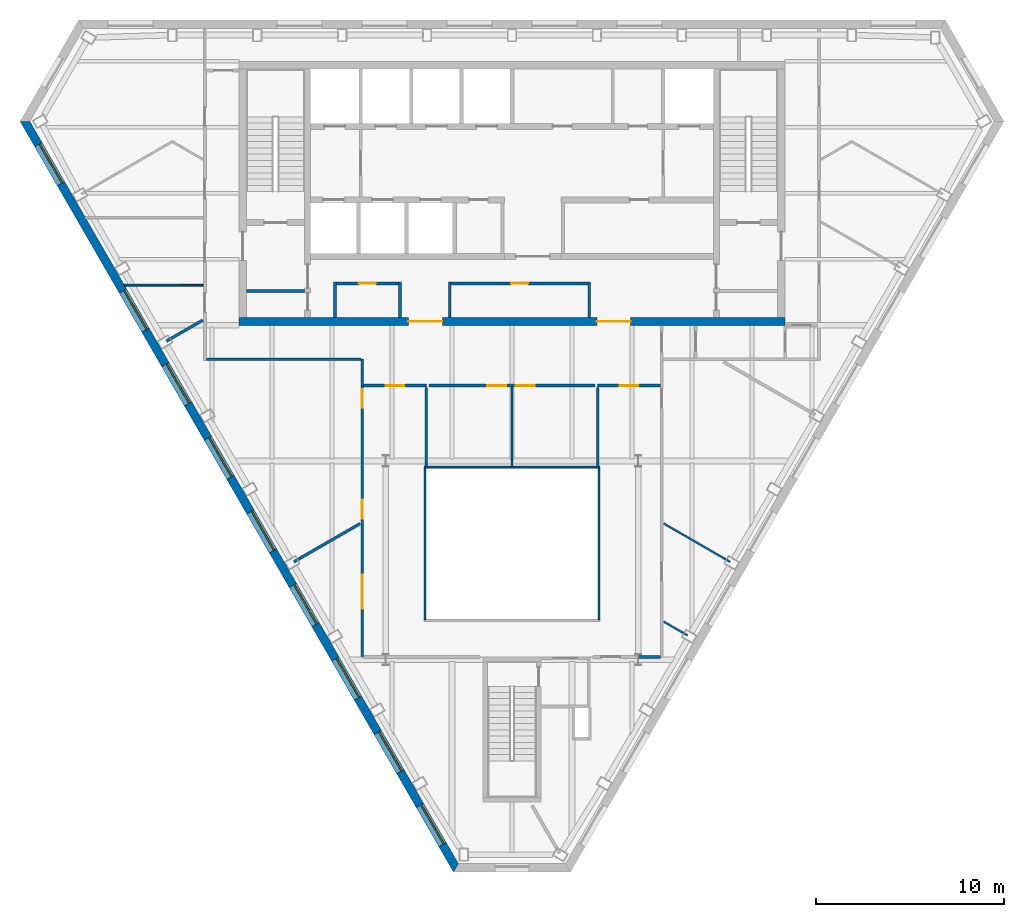
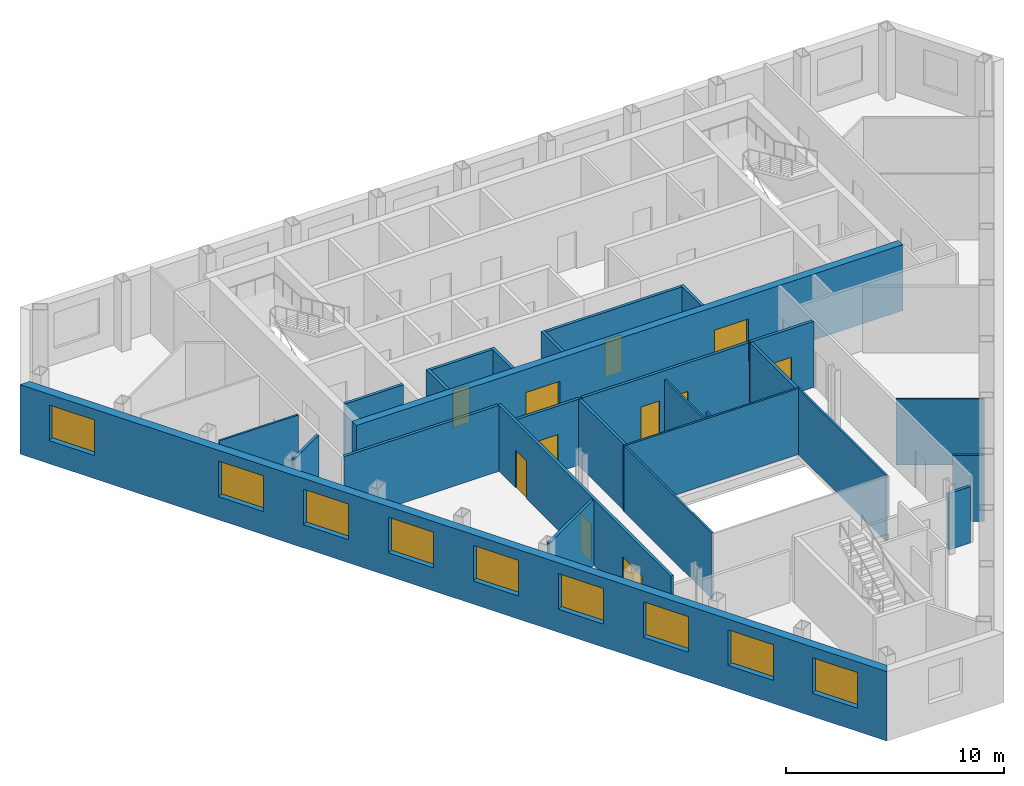
# One storey, part 4 of 10: 27 walls, 11 doors, 9 windows, 20 openings.
"""IFC4 building model written with IfcOpenShell, lengths in metres."""

import ifcopenshell
import ifcopenshell.guid

model = None  # the IFC model being written
_history = None  # IfcOwnerHistory: only IFC2X3 demands one
_inside = {}  # id of a spatial element -> (the spatial element, [elements in it])
_under = {}  # id of a project, library or spatial element -> (it, [spatial elements below it])
_declared = {}  # id of a project -> (the project, [libraries it declares])
_typed = {}  # id of a type object -> (the type object, [elements of that type])
_made_of = {}  # id of a material, layer set ... -> (it, [elements and type objects made of it])


def new_model(schema):
    """Start an empty IFC model of exactly this schema.

    Asked for "IFC4X3", IfcOpenShell would pick the latest addendum, in which some entities
    have other attributes; the version numbers below select the first issue.
    IFC2X3 requires an IfcOwnerHistory on every rooted entity: one is made here for all.
    """
    global model, _history
    if schema == "IFC4X3":
        model = ifcopenshell.file(schema_version=(4, 3, 0, 0))
    else:
        model = ifcopenshell.file(schema=schema)
    _inside.clear()
    _under.clear()
    _declared.clear()
    _typed.clear()
    _made_of.clear()
    _history = None
    if model.schema == "IFC2X3":
        org = make("IfcOrganization", Name="unknown")
        user = make(
            "IfcPersonAndOrganization",
            ThePerson=make("IfcPerson", FamilyName="unknown"),
            TheOrganization=org,
        )
        app = make(
            "IfcApplication",
            ApplicationDeveloper=org,
            Version="unknown",
            ApplicationFullName="unknown",
            ApplicationIdentifier="unknown",
        )
        _history = make(
            "IfcOwnerHistory",
            OwningUser=user,
            OwningApplication=app,
            ChangeAction="ADDED",
            CreationDate=0,
        )
    return model


def make(cls, **values):
    """One entity of the class cls with the attributes given. An attribute that is None is left unset."""
    return model.create_entity(
        cls, **{name: value for name, value in values.items() if value is not None}
    )


def rooted(cls, **values):
    """An entity with a GlobalId (a new one), such as an element, a storey or a relation."""
    return make(cls, GlobalId=ifcopenshell.guid.new(), OwnerHistory=_history, **values)


def si_unit(unit_type, name, prefix=None):
    """IfcSIUnit, for example si_unit("LENGTHUNIT", "METRE", prefix="MILLI")."""
    return make("IfcSIUnit", UnitType=unit_type, Prefix=prefix, Name=name)


def assignment(units):
    """IfcUnitAssignment: the units of a project."""
    return None if units is None else make("IfcUnitAssignment", Units=units)


def point(xyz):
    """IfcCartesianPoint."""
    return None if xyz is None else make("IfcCartesianPoint", Coordinates=xyz)


def direction(xyz):
    """IfcDirection."""
    return None if xyz is None else make("IfcDirection", DirectionRatios=xyz)


def frame(location, z_axis=None, x_axis=None):
    """IfcAxis2Placement3D, a coordinate frame: its origin and axes. An axis left out is left unset."""
    return make(
        "IfcAxis2Placement3D",
        Location=point(location),
        Axis=direction(z_axis),
        RefDirection=direction(x_axis),
    )


def frame_2d(location, x_axis=None):
    """IfcAxis2Placement2D, a coordinate frame in the plane: its origin and x axis."""
    return make(
        "IfcAxis2Placement2D", Location=point(location), RefDirection=direction(x_axis)
    )


def origin():
    """The frame at (0, 0, 0) with its axes left unset."""
    return frame((0.0, 0.0, 0.0))


def place(relative_to, where):
    """IfcLocalPlacement: puts the frame where relative to a parent placement (None: the world)."""
    return make(
        "IfcLocalPlacement", PlacementRelTo=relative_to, RelativePlacement=where
    )


def context(
    kind, dimensions, precision=None, world=None, true_north=None, identifier=None
):
    """IfcGeometricRepresentationContext, for example the 3D "Model" context."""
    return make(
        "IfcGeometricRepresentationContext",
        ContextIdentifier=identifier,
        ContextType=kind,
        CoordinateSpaceDimension=dimensions,
        Precision=precision,
        WorldCoordinateSystem=world,
        TrueNorth=true_north,
    )


def subcontext(parent, identifier, kind, view, scale=None):
    """IfcGeometricRepresentationSubContext, for example "Body" below "Model"."""
    return make(
        "IfcGeometricRepresentationSubContext",
        ContextIdentifier=identifier,
        ContextType=kind,
        ParentContext=parent,
        TargetScale=scale,
        TargetView=view,
    )


def project(units=None, contexts=None):
    """IfcProject with its units and contexts."""
    return rooted(
        "IfcProject",
        Name="project",
        RepresentationContexts=contexts,
        UnitsInContext=assignment(units),
    )


def spatial(cls, under=None, at=None, **own):
    """A site, building, storey or space (cls), placed at a placement, below another one or the project."""
    s = rooted(cls, ObjectPlacement=at, **own)
    if under is not None:
        _under.setdefault(under.id(), (under, []))[1].append(s)
    return s


def polyline(points):
    """IfcPolyline through the points."""
    return make("IfcPolyline", Points=[point(p) for p in points])


def profile(cls, at=None, kind="AREA", **sizes):
    """A parametric profile (cls). Its sizes go by their IFC names, for example OverallWidth=200.0."""
    return make(cls, ProfileType=kind, Position=at, **sizes)


def rectangle(**sizes):
    """IfcRectangleProfileDef."""
    return profile("IfcRectangleProfileDef", **sizes)


def outline(outer, holes=None, kind="AREA"):
    """IfcArbitraryClosedProfileDef: a profile drawn as a closed curve; with holes, ...WithVoids."""
    if holes is None:
        return make("IfcArbitraryClosedProfileDef", ProfileType=kind, OuterCurve=outer)
    return make(
        "IfcArbitraryProfileDefWithVoids",
        ProfileType=kind,
        OuterCurve=outer,
        InnerCurves=holes,
    )


def extrude(swept, where, along, depth):
    """IfcExtrudedAreaSolid: the profile swept, set in the frame where, extruded along a direction by depth."""
    return make(
        "IfcExtrudedAreaSolid",
        SweptArea=swept,
        Position=where,
        ExtrudedDirection=direction(along),
        Depth=depth,
    )


def shape(context_of_items, identifier, shape_type, items):
    """IfcShapeRepresentation: the items that make up one representation, for example the "Body"."""
    return make(
        "IfcShapeRepresentation",
        ContextOfItems=context_of_items,
        RepresentationIdentifier=identifier,
        RepresentationType=shape_type,
        Items=items,
    )


def material(Name=None, Category=None):
    """IfcMaterial."""
    return make("IfcMaterial", Name=Name, Category=Category)


def layer(
    of_material, thickness, ventilated=None, Name=None, Category=None, Priority=None
):
    """IfcMaterialLayer: one layer of a wall or slab, of a material (None: an air gap)."""
    return make(
        "IfcMaterialLayer",
        Material=of_material,
        LayerThickness=thickness,
        IsVentilated=ventilated,
        Name=Name,
        Category=Category,
        Priority=Priority,
    )


def layer_set(layers, Name=None):
    """IfcMaterialLayerSet."""
    return make("IfcMaterialLayerSet", MaterialLayers=layers, LayerSetName=Name)


def made_of(thing, what):
    """Note that an element or type object is made of a material, layer set ...; save() writes the relation."""
    if what is not None:
        _made_of.setdefault(what.id(), (what, []))[1].append(thing)
    return thing


def type_object(cls, material=None, **own):
    """A type object (cls), such as IfcWallType, which elements share."""
    return made_of(rooted(cls, **own), material)


def element(
    cls,
    number,
    at=None,
    inside=None,
    cuts=None,
    type_object=None,
    material=None,
    context=None,
    identifier="Body",
    shape_type=None,
    held_by="IfcProductDefinitionShape",
    body=None,
    shapes=None,
    **own,
):
    """One element of the class cls, such as IfcWall. Its Tag is "e" and its number.

    at: its placement. inside: the storey or other place that contains it. cuts: it is an
    opening in that element (IfcRelVoidsElement). A single representation is given by context,
    identifier, shape_type and body (its items); several are given by shapes. held_by: the class
    of the entity that holds the representations. save() writes the other relations.
    """
    e = rooted(cls, Tag="e%d" % number, ObjectPlacement=at, **own)
    if body is not None:
        shapes = [shape(context, identifier, shape_type, body)]
    if shapes is not None:
        e.Representation = make(held_by, Representations=shapes)
    if inside is not None:
        _inside.setdefault(inside.id(), (inside, []))[1].append(e)
    if cuts is not None:
        rooted(
            "IfcRelVoidsElement", RelatingBuildingElement=cuts, RelatedOpeningElement=e
        )
    if type_object is not None:
        _typed.setdefault(type_object.id(), (type_object, []))[1].append(e)
    return made_of(e, material)


def fill(opening, filler):
    """IfcRelFillsElement: the door or window that sits in an opening."""
    return rooted(
        "IfcRelFillsElement",
        RelatingOpeningElement=opening,
        RelatedBuildingElement=filler,
    )


def aggregate(whole, parts):
    """IfcRelAggregates: a whole, such as a stair, and the parts it consists of."""
    return rooted("IfcRelAggregates", RelatingObject=whole, RelatedObjects=parts)


def save(model, path):
    """Write the relations noted so far, then the file.

    IfcRelAggregates (storeys below a building ...), IfcRelContainedInSpatialStructure (elements
    in a storey), IfcRelDefinesByType, IfcRelAssociatesMaterial and IfcRelDeclares: one each for
    every whole, place, type object, material and project.
    """
    for whole, parts in _under.values():
        aggregate(whole, parts)
    for where, things in _inside.values():
        rooted(
            "IfcRelContainedInSpatialStructure",
            RelatedElements=things,
            RelatingStructure=where,
        )
    for kind, things in _typed.values():
        rooted("IfcRelDefinesByType", RelatedObjects=things, RelatingType=kind)
    for what, things in _made_of.values():
        rooted("IfcRelAssociatesMaterial", RelatedObjects=things, RelatingMaterial=what)
    for by, libraries in _declared.values():
        rooted("IfcRelDeclares", RelatingContext=by, RelatedDefinitions=libraries)
    model.write(path)


model = new_model("IFC4")

# Units and contexts
model_context = context("Model", 3, precision=1e-05, world=origin(), true_north=direction((0.0, 1.0)))
body_context = subcontext(model_context, "Body", "Model", "MODEL_VIEW")
ifc_project = project(units=[si_unit("LENGTHUNIT", "METRE"), si_unit("AREAUNIT", "SQUARE_METRE"), si_unit("VOLUMEUNIT", "CUBIC_METRE"), si_unit("PLANEANGLEUNIT", "RADIAN"), si_unit("MASSUNIT", "GRAM", prefix="KILO")], contexts=[model_context])

# Site, building, storey
site_placement = place(None, origin())
site = spatial("IfcSite", under=ifc_project, at=site_placement, CompositionType="ELEMENT")
building_placement = place(site_placement, origin())
building = spatial("IfcBuilding", under=site, at=building_placement, Name="Njiva Tower", CompositionType="ELEMENT")
storey_placement = place(building_placement, frame((0.0, 0.0, 249.3)))
storey = spatial("IfcBuildingStorey", under=building, at=storey_placement, Name="L56", CompositionType="ELEMENT", Elevation=249.3)

# Walls
ifc_material_1 = material(Name="Blockwork", Category="masonry")
ifc_layer_1 = layer(ifc_material_1, 0.15)
ifc_layer_set_1 = layer_set([ifc_layer_1], Name="Blockwork")
wall_type_1 = type_object("IfcWallType", Name="WT1 Compartment partition 150", PredefinedType="PARTITIONING", material=ifc_layer_set_1)
wall_1_placement = place(storey_placement, frame((-14.1, 5.825, 0.0), z_axis=(0.0, 0.0, 1.0), x_axis=(1.0, 0.0, 0.0)))
element("IfcWall", 1, at=wall_1_placement, inside=storey, type_object=wall_type_1, Name="Room wall A", PredefinedType="PARTITIONING", context=body_context, shape_type="SweptSolid", body=[
    extrude(rectangle(XDim=3.1, YDim=0.15, at=frame_2d((1.55, 0.0))), origin(), (0.0, 0.0, 1.0), 3.7),
])
for number, where, z_axis, x_axis, name in (
    (2, (-9.4, 4.4, 0.0), (0.0, 0.0, 1.0), (0.0, 1.0, 0.0), "First aid room wall west"),
    (3, (-5.95, 4.4, 0.0), (0.0, 0.0, 1.0), (0.0, 1.0, 0.0), "First aid room wall east"),
):
    element("IfcWall", number, at=place(storey_placement, frame(where, z_axis=z_axis, x_axis=x_axis)), inside=storey, type_object=wall_type_1, Name=name, PredefinedType="PARTITIONING", context=body_context, shape_type="SweptSolid", body=[
        extrude(rectangle(XDim=1.895, YDim=0.15, at=frame_2d((0.9475, 0.0))), origin(), (0.0, 0.0, 1.0), 3.7),
    ])

# Wall, opening, door
wall_2_placement = place(storey_placement, frame((-9.325, 6.22, 0.0), z_axis=(0.0, 0.0, 1.0), x_axis=(1.0, 0.0, 0.0)))
wall_2 = element("IfcWall", 4, at=wall_2_placement, inside=storey, type_object=wall_type_1, Name="First aid room wall north", PredefinedType="PARTITIONING", context=body_context, shape_type="SweptSolid", body=[
    extrude(rectangle(XDim=3.3, YDim=0.15, at=frame_2d((1.65, 0.0))), origin(), (0.0, 0.0, 1.0), 3.7),
])
opening_1_placement = place(wall_2_placement, frame((1.2, 0.0, 0.0)))
opening_1 = element("IfcOpeningElement", 5, at=opening_1_placement, cuts=wall_2, Name="Opening S18-D923", PredefinedType="OPENING", context=body_context, shape_type="SweptSolid", body=[
    extrude(rectangle(XDim=0.9, YDim=2.1, at=frame_2d((0.45, 1.05))), frame((0.0, 0.085, 0.0), z_axis=(0.0, -1.0, 0.0), x_axis=(1.0, 0.0, 0.0)), (0.0, 0.0, 1.0), 0.17),
])
ifc_material_2 = material(Name="Steel fire door, painted", Category="steel")
door_type_1 = type_object("IfcDoorType", Name="D6 Fire-rated door 900x2100", OperationType="SINGLE_SWING_LEFT", PredefinedType="DOOR", material=ifc_material_2)
door_1_placement = place(opening_1_placement, origin())
door_1 = element("IfcDoor", 6, at=door_1_placement, inside=storey, type_object=door_type_1, Name="First aid room door", OperationType="SINGLE_SWING_RIGHT", OverallHeight=2.1, OverallWidth=0.9, PredefinedType="DOOR", context=body_context, shape_type="SweptSolid", body=[
    extrude(rectangle(XDim=0.9, YDim=2.1, at=frame_2d((0.45, 1.05))), frame((0.0, 0.025, 0.0), z_axis=(0.0, -1.0, 0.0), x_axis=(1.0, 0.0, 0.0)), (0.0, 0.0, 1.0), 0.05),
])
fill(opening_1, door_1)

# Walls
for number, where, z_axis, x_axis, name in (
    (7, (-3.3, 4.4, 0.0), (0.0, 0.0, 1.0), (0.0, 1.0, 0.0), "Parcel room wall west"),
    (8, (4.1, 4.4, 0.0), (0.0, 0.0, 1.0), (0.0, 1.0, 0.0), "Parcel room wall east"),
):
    element("IfcWall", number, at=place(storey_placement, frame(where, z_axis=z_axis, x_axis=x_axis)), inside=storey, type_object=wall_type_1, Name=name, PredefinedType="PARTITIONING", context=body_context, shape_type="SweptSolid", body=[
        extrude(rectangle(XDim=1.895, YDim=0.15, at=frame_2d((0.9475, 0.0))), origin(), (0.0, 0.0, 1.0), 3.7),
    ])

# Wall, opening, door
wall_3_placement = place(storey_placement, frame((-3.225, 6.22, 0.0), z_axis=(0.0, 0.0, 1.0), x_axis=(1.0, 0.0, 0.0)))
wall_3 = element("IfcWall", 9, at=wall_3_placement, inside=storey, type_object=wall_type_1, Name="Parcel room wall north", PredefinedType="PARTITIONING", context=body_context, shape_type="SweptSolid", body=[
    extrude(rectangle(XDim=7.25, YDim=0.15, at=frame_2d((3.625, 0.0))), origin(), (0.0, 0.0, 1.0), 3.7),
])
opening_2_placement = place(wall_3_placement, frame((3.175, 0.0, 0.0)))
opening_2 = element("IfcOpeningElement", 10, at=opening_2_placement, cuts=wall_3, Name="Opening S18-D924", PredefinedType="OPENING", context=body_context, shape_type="SweptSolid", body=[
    extrude(rectangle(XDim=0.9, YDim=2.1, at=frame_2d((0.45, 1.05))), frame((0.0, 0.085, 0.0), z_axis=(0.0, -1.0, 0.0), x_axis=(1.0, 0.0, 0.0)), (0.0, 0.0, 1.0), 0.17),
])
door_2_placement = place(opening_2_placement, origin())
door_2 = element("IfcDoor", 11, at=door_2_placement, inside=storey, type_object=door_type_1, Name="Parcel room door", OperationType="SINGLE_SWING_LEFT", OverallHeight=2.1, OverallWidth=0.9, PredefinedType="DOOR", context=body_context, shape_type="SweptSolid", body=[
    extrude(rectangle(XDim=0.9, YDim=2.1, at=frame_2d((0.45, 1.05))), frame((0.0, 0.025, 0.0), z_axis=(0.0, -1.0, 0.0), x_axis=(1.0, 0.0, 0.0)), (0.0, 0.0, 1.0), 0.05),
])
fill(opening_2, door_2)

# Wall, openings, doors
ifc_material_3 = material(Name="Concrete C60/75", Category="concrete")
ifc_layer_2 = layer(ifc_material_3, 0.4)
ifc_layer_set_2 = layer_set([ifc_layer_2], Name="Concrete C60/75")
wall_type_2 = type_object("IfcWallType", Name="WT11 Core wall 400", PredefinedType="SHEAR", material=ifc_layer_set_2)
wall_4_placement = place(storey_placement, frame((-14.5, 4.2, 0.0), z_axis=(0.0, 0.0, 1.0), x_axis=(1.0, 0.0, 0.0)))
wall_4 = element("IfcWall", 12, at=wall_4_placement, inside=storey, type_object=wall_type_2, Name="Core wall south", PredefinedType="SHEAR", context=body_context, shape_type="SweptSolid", body=[
    extrude(rectangle(XDim=29.0, YDim=0.4, at=frame_2d((14.5, 0.0))), origin(), (0.0, 0.0, 1.0), 3.7),
])
opening_3_placement = place(wall_4_placement, frame((9.0, 0.0, 0.0)))
opening_3 = element("IfcOpeningElement", 13, at=opening_3_placement, cuts=wall_4, Name="Opening S18-D926", PredefinedType="OPENING", context=body_context, shape_type="SweptSolid", body=[
    extrude(rectangle(XDim=1.8, YDim=2.4, at=frame_2d((0.9, 1.2))), frame((0.0, 0.21, 0.0), z_axis=(0.0, -1.0, 0.0), x_axis=(1.0, 0.0, 0.0)), (0.0, 0.0, 1.0), 0.42),
])
opening_4_placement = place(wall_4_placement, frame((19.0, 0.0, 0.0)))
opening_4 = element("IfcOpeningElement", 14, at=opening_4_placement, cuts=wall_4, Name="Opening S18-D927", PredefinedType="OPENING", context=body_context, shape_type="SweptSolid", body=[
    extrude(rectangle(XDim=1.8, YDim=2.4, at=frame_2d((0.9, 1.2))), frame((0.0, 0.21, 0.0), z_axis=(0.0, -1.0, 0.0), x_axis=(1.0, 0.0, 0.0)), (0.0, 0.0, 1.0), 0.42),
])
ifc_material_4 = material(Name="Steel and glass door", Category="steel")
door_type_2 = type_object("IfcDoorType", Name="D3 Core entrance door 1800x2400", OperationType="DOUBLE_DOOR_SINGLE_SWING", PredefinedType="DOOR", material=ifc_material_4)
door_3_placement = place(opening_3_placement, origin())
door_3 = element("IfcDoor", 15, at=door_3_placement, inside=storey, type_object=door_type_2, Name="Core entrance door", OperationType="DOUBLE_DOOR_SINGLE_SWING", OverallHeight=2.4, OverallWidth=1.8, PredefinedType="DOOR", context=body_context, shape_type="SweptSolid", body=[
    extrude(rectangle(XDim=1.8, YDim=2.4, at=frame_2d((0.9, 1.2))), frame((0.0, 0.025, 0.0), z_axis=(0.0, -1.0, 0.0), x_axis=(1.0, 0.0, 0.0)), (0.0, 0.0, 1.0), 0.05),
])
fill(opening_3, door_3)
door_4_placement = place(opening_4_placement, origin())
door_4 = element("IfcDoor", 16, at=door_4_placement, inside=storey, type_object=door_type_2, Name="Core entrance door", OperationType="DOUBLE_DOOR_SINGLE_SWING", OverallHeight=2.4, OverallWidth=1.8, PredefinedType="DOOR", context=body_context, shape_type="SweptSolid", body=[
    extrude(rectangle(XDim=1.8, YDim=2.4, at=frame_2d((0.9, 1.2))), frame((0.0, 0.025, 0.0), z_axis=(0.0, -1.0, 0.0), x_axis=(1.0, 0.0, 0.0)), (0.0, 0.0, 1.0), 0.05),
])
fill(opening_4, door_4)

# Walls
ifc_material_5 = material(Name="Gypsum board on steel studs", Category="gypsum")
ifc_layer_3 = layer(ifc_material_5, 0.1)
ifc_layer_set_3 = layer_set([ifc_layer_3], Name="Gypsum board on steel studs")
wall_type_3 = type_object("IfcWallType", Name="WT20 Gypsum partition 100", PredefinedType="PARTITIONING", material=ifc_layer_set_3)
wall_5_placement = place(storey_placement, frame((-20.572, 6.132, 0.0), z_axis=(0.0, 0.0, 1.0), x_axis=(0.999998183352, -0.001906119959, 0.0)))
element("IfcWall", 17, at=wall_5_placement, inside=storey, type_object=wall_type_3, Name="Partition S18-P003", PredefinedType="PARTITIONING", context=body_context, shape_type="SweptSolid", body=[
    extrude(rectangle(XDim=4.197, YDim=0.1, at=frame_2d((2.0985, 0.0))), origin(), (0.0, 0.0, 1.0), 3.7),
])
wall_6_placement = place(storey_placement, frame((-0.001, 0.725, 0.0), z_axis=(0.0, 0.0, 1.0), x_axis=(0.000235294111, -0.999999972318, 0.0)))
element("IfcWall", 18, at=wall_6_placement, inside=storey, type_object=wall_type_3, Name="Partition S18-P016", PredefinedType="PARTITIONING", context=body_context, shape_type="SweptSolid", body=[
    extrude(rectangle(XDim=3.825, YDim=0.1, at=frame_2d((1.9125, 0.0))), origin(), (0.0, 0.0, 1.0), 3.2),
])
wall_7_placement = place(storey_placement, frame((-0.0001, -3.1, 0.0), z_axis=(0.0, 0.0, 1.0), x_axis=(0.000263157886, -0.999999965374, 0.0)))
element("IfcWall", 19, at=wall_7_placement, inside=storey, type_object=wall_type_3, Name="Partition S18-P016A", PredefinedType="PARTITIONING", context=body_context, shape_type="SweptSolid", body=[
    extrude(rectangle(XDim=0.38, YDim=0.1, at=frame_2d((0.19, 0.0))), origin(), (0.0, 0.0, 1.0), 3.7),
])
wall_8_placement = place(storey_placement, frame((8.05, -6.52, 0.0), z_axis=(0.0, 0.0, 1.0), x_axis=(0.865980959039, -0.500076972657, 0.0)))
element("IfcWall", 20, at=wall_8_placement, inside=storey, type_object=wall_type_3, Name="Partition S18-P023", PredefinedType="PARTITIONING", context=body_context, shape_type="SweptSolid", body=[
    extrude(rectangle(XDim=4.0694, YDim=0.1, at=frame_2d((2.0347, 0.0))), origin(), (0.0, 0.0, 1.0), 3.7),
])
wall_9_placement = place(storey_placement, frame((8.05, -11.727, 0.0), z_axis=(0.0, 0.0, 1.0), x_axis=(0.865924183809, -0.500175277173, 0.0)))
element("IfcWall", 21, at=wall_9_placement, inside=storey, type_object=wall_type_3, Name="Partition S18-P024", PredefinedType="PARTITIONING", context=body_context, shape_type="SweptSolid", body=[
    extrude(rectangle(XDim=1.4655, YDim=0.1, at=frame_2d((0.7328, 0.0))), origin(), (0.0, 0.0, 1.0), 3.7),
])
ifc_layer_4 = layer(ifc_material_5, 0.15)
ifc_layer_set_4 = layer_set([ifc_layer_4], Name="Gypsum board on steel studs")
wall_type_4 = type_object("IfcWallType", Name="WT21 Compartment wall 150", PredefinedType="PARTITIONING", material=ifc_layer_set_4)
wall_10_placement = place(storey_placement, frame((-18.337, 3.159, 0.0), z_axis=(0.0, 0.0, 1.0), x_axis=(0.866297945504, 0.499527646498, 0.0)))
element("IfcWall", 22, at=wall_10_placement, inside=storey, type_object=wall_type_4, Name="Partition S18-P004", PredefinedType="PARTITIONING", context=body_context, shape_type="SweptSolid", body=[
    extrude(rectangle(XDim=2.2221, YDim=0.15, at=frame_2d((1.1111, 0.0))), origin(), (0.0, 0.0, 1.0), 3.7),
])
wall_11_placement = place(storey_placement, frame((-16.225, 2.2, 0.0), z_axis=(0.0, 0.0, 1.0), x_axis=(1.0, 0.0, 0.0)))
element("IfcWall", 23, at=wall_11_placement, inside=storey, type_object=wall_type_4, Name="Partition S18-P008", PredefinedType="PARTITIONING", context=body_context, shape_type="SweptSolid", body=[
    extrude(rectangle(XDim=8.2, YDim=0.15, at=frame_2d((4.1, 0.0))), origin(), (0.0, 0.0, 1.0), 3.7),
])
wall_12_placement = place(storey_placement, frame((-11.574, -8.554, 0.0), z_axis=(0.0, 0.0, 1.0), x_axis=(0.866202010042, 0.499693984153, 0.0)))
element("IfcWall", 24, at=wall_12_placement, inside=storey, type_object=wall_type_4, Name="Partition S18-P010", PredefinedType="PARTITIONING", context=body_context, shape_type="SweptSolid", body=[
    extrude(rectangle(XDim=4.0545, YDim=0.15, at=frame_2d((2.0272, 0.0))), origin(), (0.0, 0.0, 1.0), 3.7),
])

# Wall, openings, doors
wall_13_placement = place(storey_placement, frame((-7.95, -13.675, 0.0), z_axis=(0.0, 0.0, 1.0), x_axis=(0.0, 1.0, 0.0)))
wall_13 = element("IfcWall", 25, at=wall_13_placement, inside=storey, type_object=wall_type_4, Name="Partition S18-P011", PredefinedType="PARTITIONING", context=body_context, shape_type="SweptSolid", body=[
    extrude(rectangle(XDim=15.887, YDim=0.15, at=frame_2d((7.9435, 0.0))), origin(), (0.0, 0.0, 1.0), 3.7),
])
opening_5_placement = place(wall_13_placement, frame((2.642, 0.0, 0.0)))
opening_5 = element("IfcOpeningElement", 26, at=opening_5_placement, cuts=wall_13, Name="Opening S18-D006", PredefinedType="OPENING", context=body_context, shape_type="SweptSolid", body=[
    extrude(rectangle(XDim=1.8, YDim=2.1, at=frame_2d((0.9, 1.05))), frame((0.0, 0.085, 0.0), z_axis=(0.0, -1.0, 0.0), x_axis=(1.0, 0.0, 0.0)), (0.0, 0.0, 1.0), 0.17),
])
opening_6_placement = place(wall_13_placement, frame((7.411, 0.0, 0.0)))
opening_6 = element("IfcOpeningElement", 27, at=opening_6_placement, cuts=wall_13, Name="Opening S18-D007", PredefinedType="OPENING", context=body_context, shape_type="SweptSolid", body=[
    extrude(rectangle(XDim=1.0, YDim=2.1, at=frame_2d((0.5, 1.05))), frame((0.0, 0.085, 0.0), z_axis=(0.0, -1.0, 0.0), x_axis=(1.0, 0.0, 0.0)), (0.0, 0.0, 1.0), 0.17),
])
opening_7_placement = place(wall_13_placement, frame((13.287, 0.0, 0.0)))
opening_7 = element("IfcOpeningElement", 28, at=opening_7_placement, cuts=wall_13, Name="Opening S18-D008", PredefinedType="OPENING", context=body_context, shape_type="SweptSolid", body=[
    extrude(rectangle(XDim=1.0, YDim=2.1, at=frame_2d((0.5, 1.05))), frame((0.0, 0.085, 0.0), z_axis=(0.0, -1.0, 0.0), x_axis=(1.0, 0.0, 0.0)), (0.0, 0.0, 1.0), 0.17),
])
ifc_material_6 = material(Name="Steel fire door set", Category="steel")
door_type_3 = type_object("IfcDoorType", Name="D37 Fire door 1000x2100", OperationType="SINGLE_SWING_LEFT", PredefinedType="DOOR", material=ifc_material_6)
door_5_placement = place(opening_6_placement, origin())
door_5 = element("IfcDoor", 29, at=door_5_placement, inside=storey, type_object=door_type_3, Name="Door S18-D007", OperationType="SINGLE_SWING_RIGHT", OverallHeight=2.1, OverallWidth=1.0, PredefinedType="DOOR", context=body_context, shape_type="SweptSolid", body=[
    extrude(rectangle(XDim=1.0, YDim=2.1, at=frame_2d((0.5, 1.05))), frame((0.0, 0.025, 0.0), z_axis=(0.0, -1.0, 0.0), x_axis=(1.0, 0.0, 0.0)), (0.0, 0.0, 1.0), 0.05),
])
fill(opening_6, door_5)
door_6_placement = place(opening_7_placement, origin())
door_6 = element("IfcDoor", 30, at=door_6_placement, inside=storey, type_object=door_type_3, Name="Door S18-D008", OperationType="SINGLE_SWING_LEFT", OverallHeight=2.1, OverallWidth=1.0, PredefinedType="DOOR", context=body_context, shape_type="SweptSolid", body=[
    extrude(rectangle(XDim=1.0, YDim=2.1, at=frame_2d((0.5, 1.05))), frame((0.0, 0.025, 0.0), z_axis=(0.0, -1.0, 0.0), x_axis=(1.0, 0.0, 0.0)), (0.0, 0.0, 1.0), 0.05),
])
fill(opening_7, door_6)
door_type_4 = type_object("IfcDoorType", Name="D38 Fire door 1800x2100", OperationType="DOUBLE_DOOR_SINGLE_SWING", PredefinedType="DOOR", material=ifc_material_6)
door_7_placement = place(opening_5_placement, origin())
door_7 = element("IfcDoor", 31, at=door_7_placement, inside=storey, type_object=door_type_4, Name="Door S18-D006", OperationType="DOUBLE_DOOR_SINGLE_SWING", OverallHeight=2.1, OverallWidth=1.8, PredefinedType="DOOR", context=body_context, shape_type="SweptSolid", body=[
    extrude(rectangle(XDim=1.8, YDim=2.1, at=frame_2d((0.9, 1.05))), frame((0.0, 0.025, 0.0), z_axis=(0.0, -1.0, 0.0), x_axis=(1.0, 0.0, 0.0)), (0.0, 0.0, 1.0), 0.05),
])
fill(opening_5, door_7)

# Wall, opening, door
wall_14_placement = place(storey_placement, frame((-7.875, 0.8, 0.0), z_axis=(0.0, 0.0, 1.0), x_axis=(1.0, 0.0, 0.0)))
wall_14 = element("IfcWall", 32, at=wall_14_placement, inside=storey, type_object=wall_type_4, Name="Partition S18-P013", PredefinedType="PARTITIONING", context=body_context, shape_type="SweptSolid", body=[
    extrude(rectangle(XDim=3.337, YDim=0.15, at=frame_2d((1.6685, 0.0))), origin(), (0.0, 0.0, 1.0), 3.7),
])
opening_8_placement = place(wall_14_placement, frame((1.168, 0.0, 0.0)))
opening_8 = element("IfcOpeningElement", 33, at=opening_8_placement, cuts=wall_14, Name="Opening S18-D009", PredefinedType="OPENING", context=body_context, shape_type="SweptSolid", body=[
    extrude(rectangle(XDim=1.0, YDim=2.1, at=frame_2d((0.5, 1.05))), frame((0.0, 0.085, 0.0), z_axis=(0.0, -1.0, 0.0), x_axis=(1.0, 0.0, 0.0)), (0.0, 0.0, 1.0), 0.17),
])
door_8_placement = place(opening_8_placement, origin())
door_8 = element("IfcDoor", 34, at=door_8_placement, inside=storey, type_object=door_type_3, Name="Door S18-D009", OperationType="SINGLE_SWING_RIGHT", OverallHeight=2.1, OverallWidth=1.0, PredefinedType="DOOR", context=body_context, shape_type="SweptSolid", body=[
    extrude(rectangle(XDim=1.0, YDim=2.1, at=frame_2d((0.5, 1.05))), frame((0.0, 0.025, 0.0), z_axis=(0.0, -1.0, 0.0), x_axis=(1.0, 0.0, 0.0)), (0.0, 0.0, 1.0), 0.05),
])
fill(opening_8, door_8)

# Wall
wall_15_placement = place(storey_placement, frame((-4.55, -3.48, 0.0), z_axis=(0.0, 0.0, 1.0), x_axis=(0.000238834481, 0.999999971479, 0.0)))
element("IfcWall", 35, at=wall_15_placement, inside=storey, type_object=wall_type_4, Name="Partition S18-P014", PredefinedType="PARTITIONING", context=body_context, shape_type="SweptSolid", body=[
    extrude(rectangle(XDim=4.187, YDim=0.15, at=frame_2d((2.0935, 0.0))), origin(), (0.0, 0.0, 1.0), 3.7),
])

# Wall, openings, doors
wall_16_placement = place(storey_placement, frame((-4.41, 0.8, 0.0), z_axis=(0.0, 0.0, 1.0), x_axis=(1.0, 0.0, 0.0)))
wall_16 = element("IfcWall", 36, at=wall_16_placement, inside=storey, type_object=wall_type_4, Name="Partition S18-P015", PredefinedType="PARTITIONING", context=body_context, shape_type="SweptSolid", body=[
    extrude(rectangle(XDim=8.82, YDim=0.15, at=frame_2d((4.41, 0.0))), origin(), (0.0, 0.0, 1.0), 3.7),
])
opening_9_placement = place(wall_16_placement, frame((3.106, 0.0, 0.0)))
opening_9 = element("IfcOpeningElement", 37, at=opening_9_placement, cuts=wall_16, Name="Opening S18-D010", PredefinedType="OPENING", context=body_context, shape_type="SweptSolid", body=[
    extrude(rectangle(XDim=1.0, YDim=2.1, at=frame_2d((0.5, 1.05))), frame((0.0, 0.085, 0.0), z_axis=(0.0, -1.0, 0.0), x_axis=(1.0, 0.0, 0.0)), (0.0, 0.0, 1.0), 0.17),
])
opening_10_placement = place(wall_16_placement, frame((4.611, 0.0, 0.0)))
opening_10 = element("IfcOpeningElement", 38, at=opening_10_placement, cuts=wall_16, Name="Opening S18-D011", PredefinedType="OPENING", context=body_context, shape_type="SweptSolid", body=[
    extrude(rectangle(XDim=1.0, YDim=2.1, at=frame_2d((0.5, 1.05))), frame((0.0, 0.085, 0.0), z_axis=(0.0, -1.0, 0.0), x_axis=(1.0, 0.0, 0.0)), (0.0, 0.0, 1.0), 0.17),
])
door_9_placement = place(opening_9_placement, origin())
door_9 = element("IfcDoor", 39, at=door_9_placement, inside=storey, type_object=door_type_3, Name="Door S18-D010", OperationType="SINGLE_SWING_LEFT", OverallHeight=2.1, OverallWidth=1.0, PredefinedType="DOOR", context=body_context, shape_type="SweptSolid", body=[
    extrude(rectangle(XDim=1.0, YDim=2.1, at=frame_2d((0.5, 1.05))), frame((0.0, 0.025, 0.0), z_axis=(0.0, -1.0, 0.0), x_axis=(1.0, 0.0, 0.0)), (0.0, 0.0, 1.0), 0.05),
])
fill(opening_9, door_9)
door_10_placement = place(opening_10_placement, origin())
door_10 = element("IfcDoor", 40, at=door_10_placement, inside=storey, type_object=door_type_3, Name="Door S18-D011", OperationType="SINGLE_SWING_RIGHT", OverallHeight=2.1, OverallWidth=1.0, PredefinedType="DOOR", context=body_context, shape_type="SweptSolid", body=[
    extrude(rectangle(XDim=1.0, YDim=2.1, at=frame_2d((0.5, 1.05))), frame((0.0, 0.025, 0.0), z_axis=(0.0, -1.0, 0.0), x_axis=(1.0, 0.0, 0.0)), (0.0, 0.0, 1.0), 0.05),
])
fill(opening_10, door_10)

# Wall
wall_17_placement = place(storey_placement, frame((6.7, -13.6, 0.0), z_axis=(0.0, 0.0, 1.0), x_axis=(1.0, 0.0, 0.0)))
element("IfcWall", 41, at=wall_17_placement, inside=storey, type_object=wall_type_4, Name="Partition S18-P018A", PredefinedType="PARTITIONING", context=body_context, shape_type="SweptSolid", body=[
    extrude(rectangle(XDim=1.175, YDim=0.15, at=frame_2d((0.5875, 0.0))), origin(), (0.0, 0.0, 1.0), 3.16),
])

# Wall, opening, door
wall_18_placement = place(storey_placement, frame((4.538, 0.8, 0.0), z_axis=(0.0, 0.0, 1.0), x_axis=(1.0, 0.0, 0.0)))
wall_18 = element("IfcWall", 42, at=wall_18_placement, inside=storey, type_object=wall_type_4, Name="Partition S18-P019", PredefinedType="PARTITIONING", context=body_context, shape_type="SweptSolid", body=[
    extrude(rectangle(XDim=3.337, YDim=0.15, at=frame_2d((1.6685, 0.0))), origin(), (0.0, 0.0, 1.0), 3.7),
])
opening_11_placement = place(wall_18_placement, frame((1.168, 0.0, 0.0)))
opening_11 = element("IfcOpeningElement", 43, at=opening_11_placement, cuts=wall_18, Name="Opening S18-D013", PredefinedType="OPENING", context=body_context, shape_type="SweptSolid", body=[
    extrude(rectangle(XDim=1.0, YDim=2.1, at=frame_2d((0.5, 1.05))), frame((0.0, 0.085, 0.0), z_axis=(0.0, -1.0, 0.0), x_axis=(1.0, 0.0, 0.0)), (0.0, 0.0, 1.0), 0.17),
])
door_11_placement = place(opening_11_placement, origin())
door_11 = element("IfcDoor", 44, at=door_11_placement, inside=storey, type_object=door_type_3, Name="Door S18-D013", OperationType="SINGLE_SWING_RIGHT", OverallHeight=2.1, OverallWidth=1.0, PredefinedType="DOOR", context=body_context, shape_type="SweptSolid", body=[
    extrude(rectangle(XDim=1.0, YDim=2.1, at=frame_2d((0.5, 1.05))), frame((0.0, 0.025, 0.0), z_axis=(0.0, -1.0, 0.0), x_axis=(1.0, 0.0, 0.0)), (0.0, 0.0, 1.0), 0.05),
])
fill(opening_11, door_11)

# Wall
wall_19_placement = place(storey_placement, frame((4.549, -3.48, 0.0), z_axis=(0.0, 0.0, 1.0), x_axis=(0.0, 1.0, 0.0)))
element("IfcWall", 45, at=wall_19_placement, inside=storey, type_object=wall_type_4, Name="Partition S18-P020", PredefinedType="PARTITIONING", context=body_context, shape_type="SweptSolid", body=[
    extrude(rectangle(XDim=4.187, YDim=0.15, at=frame_2d((2.0935, 0.0))), origin(), (0.0, 0.0, 1.0), 3.7),
])

# Wall, openings, windows
ifc_material_7 = material(Name="Brick masonry", Category="masonry")
ifc_layer_5 = layer(ifc_material_7, 0.45)
ifc_layer_set_5 = layer_set([ifc_layer_5], Name="Brick masonry")
wall_type_5 = type_object("IfcWallType", Name="WT90 Brick pier and spandrel wall 450", PredefinedType="SOLIDWALL", material=ifc_layer_set_5)
wall_20_placement = place(storey_placement, frame((-25.8502, 14.822, -0.4), z_axis=(0.0, 0.0, 1.0), x_axis=(0.500000335318, -0.866025210188, 0.0)))
wall_20 = element("IfcWall", 46, at=wall_20_placement, inside=storey, type_object=wall_type_5, Name="Facade wall SW", PredefinedType="SOLIDWALL", context=body_context, shape_type="SweptSolid", body=[
    extrude(outline(polyline([(-0.1299, -0.225), (45.8801, -0.225), (45.6203, 0.225), (0.1299, 0.225), (-0.1299, -0.225)])), origin(), (0.0, 0.0, 1.0), 3.9),
])
opening_12_placement = place(wall_20_placement, frame((1.4247, 0.0, 1.3)))
opening_12 = element("IfcOpeningElement", 47, at=opening_12_placement, cuts=wall_20, Name="Opening S18-W09", PredefinedType="OPENING", context=body_context, shape_type="SweptSolid", body=[
    extrude(rectangle(XDim=2.4, YDim=2.0, at=frame_2d((1.2, 1.0))), frame((0.0, 0.235, 0.0), z_axis=(0.0, -1.0, 0.0), x_axis=(1.0, 0.0, 0.0)), (0.0, 0.0, 1.0), 0.47),
])
opening_13_placement = place(wall_20_placement, frame((10.4035, 0.0, 1.3)))
opening_13 = element("IfcOpeningElement", 48, at=opening_13_placement, cuts=wall_20, Name="Opening S18-W10", PredefinedType="OPENING", context=body_context, shape_type="SweptSolid", body=[
    extrude(rectangle(XDim=2.4, YDim=2.0, at=frame_2d((1.2, 1.0))), frame((0.0, 0.235, 0.0), z_axis=(0.0, -1.0, 0.0), x_axis=(1.0, 0.0, 0.0)), (0.0, 0.0, 1.0), 0.47),
])
opening_14_placement = place(wall_20_placement, frame((14.9122, 0.0, 1.3)))
opening_14 = element("IfcOpeningElement", 49, at=opening_14_placement, cuts=wall_20, Name="Opening S18-W11", PredefinedType="OPENING", context=body_context, shape_type="SweptSolid", body=[
    extrude(rectangle(XDim=2.4, YDim=2.0, at=frame_2d((1.2, 1.0))), frame((0.0, 0.235, 0.0), z_axis=(0.0, -1.0, 0.0), x_axis=(1.0, 0.0, 0.0)), (0.0, 0.0, 1.0), 0.47),
])
opening_15_placement = place(wall_20_placement, frame((19.4208, 0.0, 1.3)))
opening_15 = element("IfcOpeningElement", 50, at=opening_15_placement, cuts=wall_20, Name="Opening S18-W12", PredefinedType="OPENING", context=body_context, shape_type="SweptSolid", body=[
    extrude(rectangle(XDim=2.4, YDim=2.0, at=frame_2d((1.2, 1.0))), frame((0.0, 0.235, 0.0), z_axis=(0.0, -1.0, 0.0), x_axis=(1.0, 0.0, 0.0)), (0.0, 0.0, 1.0), 0.47),
])
opening_16_placement = place(wall_20_placement, frame((23.9294, 0.0, 1.3)))
opening_16 = element("IfcOpeningElement", 51, at=opening_16_placement, cuts=wall_20, Name="Opening S18-W13", PredefinedType="OPENING", context=body_context, shape_type="SweptSolid", body=[
    extrude(rectangle(XDim=2.4, YDim=2.0, at=frame_2d((1.2, 1.0))), frame((0.0, 0.235, 0.0), z_axis=(0.0, -1.0, 0.0), x_axis=(1.0, 0.0, 0.0)), (0.0, 0.0, 1.0), 0.47),
])
opening_17_placement = place(wall_20_placement, frame((28.438, 0.0, 1.3)))
opening_17 = element("IfcOpeningElement", 52, at=opening_17_placement, cuts=wall_20, Name="Opening S18-W14", PredefinedType="OPENING", context=body_context, shape_type="SweptSolid", body=[
    extrude(rectangle(XDim=2.4, YDim=2.0, at=frame_2d((1.2, 1.0))), frame((0.0, 0.235, 0.0), z_axis=(0.0, -1.0, 0.0), x_axis=(1.0, 0.0, 0.0)), (0.0, 0.0, 1.0), 0.47),
])
opening_18_placement = place(wall_20_placement, frame((32.9466, 0.0, 1.3)))
opening_18 = element("IfcOpeningElement", 53, at=opening_18_placement, cuts=wall_20, Name="Opening S18-W15", PredefinedType="OPENING", context=body_context, shape_type="SweptSolid", body=[
    extrude(rectangle(XDim=2.4, YDim=2.0, at=frame_2d((1.2, 1.0))), frame((0.0, 0.235, 0.0), z_axis=(0.0, -1.0, 0.0), x_axis=(1.0, 0.0, 0.0)), (0.0, 0.0, 1.0), 0.47),
])
opening_19_placement = place(wall_20_placement, frame((37.4553, 0.0, 1.3)))
opening_19 = element("IfcOpeningElement", 54, at=opening_19_placement, cuts=wall_20, Name="Opening S18-W16", PredefinedType="OPENING", context=body_context, shape_type="SweptSolid", body=[
    extrude(rectangle(XDim=2.4, YDim=2.0, at=frame_2d((1.2, 1.0))), frame((0.0, 0.235, 0.0), z_axis=(0.0, -1.0, 0.0), x_axis=(1.0, 0.0, 0.0)), (0.0, 0.0, 1.0), 0.47),
])
opening_20_placement = place(wall_20_placement, frame((41.9255, 0.0, 1.3)))
opening_20 = element("IfcOpeningElement", 55, at=opening_20_placement, cuts=wall_20, Name="Opening S18-W17", PredefinedType="OPENING", context=body_context, shape_type="SweptSolid", body=[
    extrude(rectangle(XDim=2.4, YDim=2.0, at=frame_2d((1.2, 1.0))), frame((0.0, 0.235, 0.0), z_axis=(0.0, -1.0, 0.0), x_axis=(1.0, 0.0, 0.0)), (0.0, 0.0, 1.0), 0.47),
])
ifc_material_8 = material(Name="Clear glazing in aluminium frame", Category="aluminium")
window_type = type_object("IfcWindowType", Name="W90 Deep-set window 2400x2000", PartitioningType="SINGLE_PANEL", PredefinedType="WINDOW", material=ifc_material_8)
window_1_placement = place(opening_12_placement, origin())
window_1 = element("IfcWindow", 56, at=window_1_placement, inside=storey, type_object=window_type, Name="Window", OverallHeight=2.0, OverallWidth=2.4, PartitioningType="SINGLE_PANEL", PredefinedType="WINDOW", context=body_context, shape_type="SweptSolid", body=[
    extrude(rectangle(XDim=2.4, YDim=2.0, at=frame_2d((1.2, 1.0))), frame((0.0, 0.105, 0.0), z_axis=(0.0, -1.0, 0.0), x_axis=(1.0, 0.0, 0.0)), (0.0, 0.0, 1.0), 0.06),
])
fill(opening_12, window_1)
window_2_placement = place(opening_13_placement, origin())
window_2 = element("IfcWindow", 57, at=window_2_placement, inside=storey, type_object=window_type, Name="Window", OverallHeight=2.0, OverallWidth=2.4, PartitioningType="SINGLE_PANEL", PredefinedType="WINDOW", context=body_context, shape_type="SweptSolid", body=[
    extrude(rectangle(XDim=2.4, YDim=2.0, at=frame_2d((1.2, 1.0))), frame((0.0, 0.105, 0.0), z_axis=(0.0, -1.0, 0.0), x_axis=(1.0, 0.0, 0.0)), (0.0, 0.0, 1.0), 0.06),
])
fill(opening_13, window_2)
window_3_placement = place(opening_14_placement, origin())
window_3 = element("IfcWindow", 58, at=window_3_placement, inside=storey, type_object=window_type, Name="Window", OverallHeight=2.0, OverallWidth=2.4, PartitioningType="SINGLE_PANEL", PredefinedType="WINDOW", context=body_context, shape_type="SweptSolid", body=[
    extrude(rectangle(XDim=2.4, YDim=2.0, at=frame_2d((1.2, 1.0))), frame((0.0, 0.105, 0.0), z_axis=(0.0, -1.0, 0.0), x_axis=(1.0, 0.0, 0.0)), (0.0, 0.0, 1.0), 0.06),
])
fill(opening_14, window_3)
window_4_placement = place(opening_15_placement, origin())
window_4 = element("IfcWindow", 59, at=window_4_placement, inside=storey, type_object=window_type, Name="Window", OverallHeight=2.0, OverallWidth=2.4, PartitioningType="SINGLE_PANEL", PredefinedType="WINDOW", context=body_context, shape_type="SweptSolid", body=[
    extrude(rectangle(XDim=2.4, YDim=2.0, at=frame_2d((1.2, 1.0))), frame((0.0, 0.105, 0.0), z_axis=(0.0, -1.0, 0.0), x_axis=(1.0, 0.0, 0.0)), (0.0, 0.0, 1.0), 0.06),
])
fill(opening_15, window_4)
window_5_placement = place(opening_16_placement, origin())
window_5 = element("IfcWindow", 60, at=window_5_placement, inside=storey, type_object=window_type, Name="Window", OverallHeight=2.0, OverallWidth=2.4, PartitioningType="SINGLE_PANEL", PredefinedType="WINDOW", context=body_context, shape_type="SweptSolid", body=[
    extrude(rectangle(XDim=2.4, YDim=2.0, at=frame_2d((1.2, 1.0))), frame((0.0, 0.105, 0.0), z_axis=(0.0, -1.0, 0.0), x_axis=(1.0, 0.0, 0.0)), (0.0, 0.0, 1.0), 0.06),
])
fill(opening_16, window_5)
window_6_placement = place(opening_17_placement, origin())
window_6 = element("IfcWindow", 61, at=window_6_placement, inside=storey, type_object=window_type, Name="Window", OverallHeight=2.0, OverallWidth=2.4, PartitioningType="SINGLE_PANEL", PredefinedType="WINDOW", context=body_context, shape_type="SweptSolid", body=[
    extrude(rectangle(XDim=2.4, YDim=2.0, at=frame_2d((1.2, 1.0))), frame((0.0, 0.105, 0.0), z_axis=(0.0, -1.0, 0.0), x_axis=(1.0, 0.0, 0.0)), (0.0, 0.0, 1.0), 0.06),
])
fill(opening_17, window_6)
window_7_placement = place(opening_18_placement, origin())
window_7 = element("IfcWindow", 62, at=window_7_placement, inside=storey, type_object=window_type, Name="Window", OverallHeight=2.0, OverallWidth=2.4, PartitioningType="SINGLE_PANEL", PredefinedType="WINDOW", context=body_context, shape_type="SweptSolid", body=[
    extrude(rectangle(XDim=2.4, YDim=2.0, at=frame_2d((1.2, 1.0))), frame((0.0, 0.105, 0.0), z_axis=(0.0, -1.0, 0.0), x_axis=(1.0, 0.0, 0.0)), (0.0, 0.0, 1.0), 0.06),
])
fill(opening_18, window_7)
window_8_placement = place(opening_19_placement, origin())
window_8 = element("IfcWindow", 63, at=window_8_placement, inside=storey, type_object=window_type, Name="Window", OverallHeight=2.0, OverallWidth=2.4, PartitioningType="SINGLE_PANEL", PredefinedType="WINDOW", context=body_context, shape_type="SweptSolid", body=[
    extrude(rectangle(XDim=2.4, YDim=2.0, at=frame_2d((1.2, 1.0))), frame((0.0, 0.105, 0.0), z_axis=(0.0, -1.0, 0.0), x_axis=(1.0, 0.0, 0.0)), (0.0, 0.0, 1.0), 0.06),
])
fill(opening_19, window_8)
window_9_placement = place(opening_20_placement, origin())
window_9 = element("IfcWindow", 64, at=window_9_placement, inside=storey, type_object=window_type, Name="Window", OverallHeight=2.0, OverallWidth=2.4, PartitioningType="SINGLE_PANEL", PredefinedType="WINDOW", context=body_context, shape_type="SweptSolid", body=[
    extrude(rectangle(XDim=2.4, YDim=2.0, at=frame_2d((1.2, 1.0))), frame((0.0, 0.105, 0.0), z_axis=(0.0, -1.0, 0.0), x_axis=(1.0, 0.0, 0.0)), (0.0, 0.0, 1.0), 0.06),
])
fill(opening_20, window_9)

# Walls
ifc_material_9 = material(Name="Fire-resisting glazing EI 90", Category="glass")
ifc_layer_6 = layer(ifc_material_9, 0.1)
ifc_layer_set_6 = layer_set([ifc_layer_6], Name="Fire-resisting glazing EI 90")
wall_type_6 = type_object("IfcWallType", Name="WT95 Fire-resisting glazed screen EI 90", PredefinedType="PARTITIONING", material=ifc_layer_set_6)
wall_21_placement = place(storey_placement, frame((4.62, -11.62, 0.0), z_axis=(0.0, 0.0, 1.0), x_axis=(0.0, 1.0, 0.0)))
element("IfcWall", 65, at=wall_21_placement, inside=storey, type_object=wall_type_6, Name="Atrium fire screen east", PredefinedType="PARTITIONING", context=body_context, shape_type="SweptSolid", body=[
    extrude(rectangle(XDim=8.04, YDim=0.1, at=frame_2d((4.02, 0.0))), origin(), (0.0, 0.0, 1.0), 3.7),
])
wall_22_placement = place(storey_placement, frame((4.67, -3.53, 0.0), z_axis=(0.0, 0.0, 1.0), x_axis=(-1.0, 0.0, 0.0)))
element("IfcWall", 66, at=wall_22_placement, inside=storey, type_object=wall_type_6, Name="Atrium fire screen north", PredefinedType="PARTITIONING", context=body_context, shape_type="SweptSolid", body=[
    extrude(rectangle(XDim=9.34, YDim=0.1, at=frame_2d((4.67, 0.0))), origin(), (0.0, 0.0, 1.0), 3.7),
])
wall_23_placement = place(storey_placement, frame((-4.62, -3.58, 0.0), z_axis=(0.0, 0.0, 1.0), x_axis=(0.0, -1.0, 0.0)))
element("IfcWall", 67, at=wall_23_placement, inside=storey, type_object=wall_type_6, Name="Atrium fire screen west", PredefinedType="PARTITIONING", context=body_context, shape_type="SweptSolid", body=[
    extrude(rectangle(XDim=8.04, YDim=0.1, at=frame_2d((4.02, 0.0))), origin(), (0.0, 0.0, 1.0), 3.7),
])

save(model, "model.ifc")
